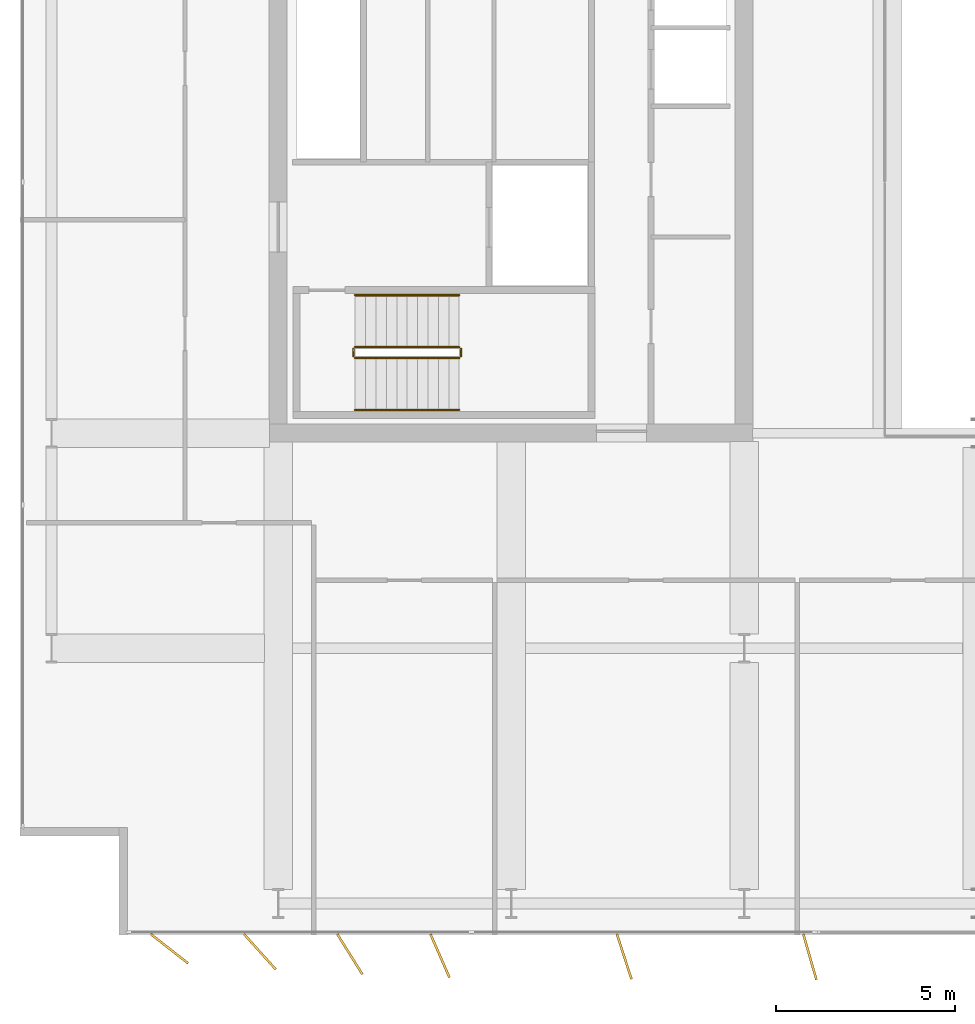
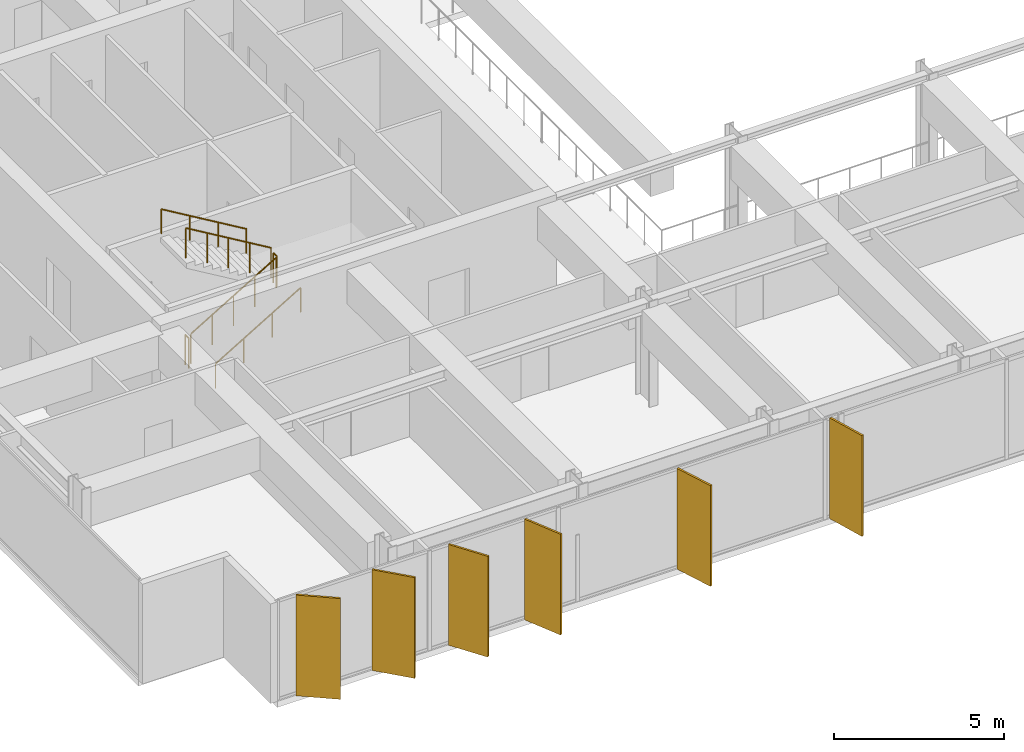
# One storey, part 21 of 24: 6 railings, 6 shading devices.
"""IFC4 building model written with IfcOpenShell, lengths in metres."""

from ifc_helpers import new_model, si_unit, direction, frame, origin, origin_2d, place, context, subcontext, project, spatial, rectangle, circle, extrude, material, layer, layer_set, type_object, element, save


model = new_model("IFC4")

# Units and contexts
model_context = context("Model", 3, precision=1e-05, world=origin(), true_north=direction((0.0, 1.0)))
body_context = subcontext(model_context, "Body", "Model", "MODEL_VIEW")
ifc_project = project(units=[si_unit("LENGTHUNIT", "METRE"), si_unit("AREAUNIT", "SQUARE_METRE"), si_unit("VOLUMEUNIT", "CUBIC_METRE"), si_unit("PLANEANGLEUNIT", "RADIAN"), si_unit("MASSUNIT", "GRAM", prefix="KILO")], contexts=[model_context])

# Site, building, storey
site_placement = place(None, origin())
site = spatial("IfcSite", under=ifc_project, at=site_placement, CompositionType="ELEMENT")
building_placement = place(site_placement, origin())
building = spatial("IfcBuilding", under=site, at=building_placement, Name="Putna Gate Headquarters", CompositionType="ELEMENT")
storey_placement = place(building_placement, frame((0.0, 0.0, 251.800048828125)))
storey = spatial("IfcBuildingStorey", under=building, at=storey_placement, Name="L63", CompositionType="ELEMENT", Elevation=251.800048828125)

# Railings
ifc_material_1 = material(Name="Powder-coated steel stair guardrail", Category="steel")
railing_type_1 = type_object("IfcRailingType", Name="RAIL-STAIR-GUARD-1100", PredefinedType="GUARDRAIL", material=ifc_material_1)
railing_1_placement = place(storey_placement, frame((15.14990234375, 21.10009765625, 0.172607421875)))
element("IfcRailing", 1, at=railing_1_placement, inside=storey, type_object=railing_type_1, Name="L63 ST1 stair guard 1", PredefinedType="GUARDRAIL", context=body_context, shape_type="SweptSolid", body=[
    extrude(circle(Radius=0.02392578125, at=origin_2d()), frame((0.0, 0.0, 1.076171875), z_axis=(0.859160404282, 0.0, 0.51170636083), x_axis=(0.0, 1.0, 0.0)), (0.0, 0.0, 1.0), 3.37548828125),
    extrude(circle(Radius=0.02099609375, at=origin_2d()), origin(), (0.0, 0.0, 1.0), 1.052001953125),
    extrude(circle(Radius=0.02099609375, at=origin_2d()), frame((0.72509765625, 0.0, 0.431884765625)), (0.0, 0.0, 1.0), 1.052001953125),
    extrude(circle(Radius=0.02099609375, at=origin_2d()), frame((1.4501953125, 0.0, 0.86376953125)), (0.0, 0.0, 1.0), 1.052001953125),
    extrude(circle(Radius=0.02099609375, at=origin_2d()), frame((2.175048828125, 0.0, 1.29541015625)), (0.0, 0.0, 1.0), 1.052001953125),
    extrude(circle(Radius=0.02099609375, at=origin_2d()), frame((2.900146484375, 0.0, 1.727294921875)), (0.0, 0.0, 1.0), 1.052001953125),
])
railing_2_placement = place(storey_placement, frame((18.10009765625, 21.14990234375, 1.89990234375)))
element("IfcRailing", 2, at=railing_2_placement, inside=storey, type_object=railing_type_1, Name="L63 ST1 stair guard 2", PredefinedType="GUARDRAIL", context=body_context, shape_type="SweptSolid", body=[
    extrude(circle(Radius=0.02392578125, at=origin_2d()), frame((0.0, 0.0, 1.076171875), z_axis=(0.0, 1.0, 0.0), x_axis=(-1.0, 0.0, 0.0)), (0.0, 0.0, 1.0), 0.2001953125),
    extrude(circle(Radius=0.02099609375, at=origin_2d()), origin(), (0.0, 0.0, 1.0), 1.052001953125),
    extrude(circle(Radius=0.02099609375, at=origin_2d()), frame((0.0, 0.2001953125, 0.0)), (0.0, 0.0, 1.0), 1.052001953125),
])
railing_3_placement = place(storey_placement, frame((18.050048828125, 21.39990234375, 2.07275390625)))
element("IfcRailing", 3, at=railing_3_placement, inside=storey, type_object=railing_type_1, Name="L63 ST1 stair guard 3", PredefinedType="GUARDRAIL", context=body_context, shape_type="SweptSolid", body=[
    extrude(circle(Radius=0.02392578125, at=origin_2d()), frame((0.0, 0.0, 1.076171875), z_axis=(-0.859160404282, 0.0, 0.51170636083), x_axis=(0.0, -1.0, 0.0)), (0.0, 0.0, 1.0), 3.37548828125),
    extrude(circle(Radius=0.02099609375, at=origin_2d()), origin(), (0.0, 0.0, 1.0), 1.052001953125),
    extrude(circle(Radius=0.02099609375, at=origin_2d()), frame((-0.72509765625, 0.0, 0.431884765625)), (0.0, 0.0, 1.0), 1.052001953125),
    extrude(circle(Radius=0.02099609375, at=origin_2d()), frame((-1.4501953125, 0.0, 0.86376953125)), (0.0, 0.0, 1.0), 1.052001953125),
    extrude(circle(Radius=0.02099609375, at=origin_2d()), frame((-2.175048828125, 0.0, 1.29541015625)), (0.0, 0.0, 1.0), 1.052001953125),
    extrude(circle(Radius=0.02099609375, at=origin_2d()), frame((-2.900146484375, 0.0, 1.727294921875)), (0.0, 0.0, 1.0), 1.052001953125),
])
railing_4_placement = place(storey_placement, frame((15.10009765625, 21.14990234375, 0.0)))
element("IfcRailing", 4, at=railing_4_placement, inside=storey, type_object=railing_type_1, Name="L63 ST1 stair guard 4", PredefinedType="GUARDRAIL", context=body_context, shape_type="SweptSolid", body=[
    extrude(circle(Radius=0.02392578125, at=origin_2d()), frame((0.0, 0.0, 1.076171875), z_axis=(0.0, 1.0, 0.0), x_axis=(-1.0, 0.0, 0.0)), (0.0, 0.0, 1.0), 0.2001953125),
    extrude(circle(Radius=0.02099609375, at=origin_2d()), origin(), (0.0, 0.0, 1.0), 1.052001953125),
    extrude(circle(Radius=0.02099609375, at=origin_2d()), frame((0.0, 0.2001953125, 0.0)), (0.0, 0.0, 1.0), 1.052001953125),
])
ifc_material_2 = material(Name="Brushed stainless steel handrail", Category="steel")
railing_type_2 = type_object("IfcRailingType", Name="RAIL-STAIR-HAND-900", PredefinedType="HANDRAIL", material=ifc_material_2)
railing_5_placement = place(storey_placement, frame((15.14990234375, 19.64990234375, 0.172607421875)))
element("IfcRailing", 5, at=railing_5_placement, inside=storey, type_object=railing_type_2, Name="L63 ST1 stair handrail 1", PredefinedType="HANDRAIL", context=body_context, shape_type="SweptSolid", body=[
    extrude(circle(Radius=0.02392578125, at=origin_2d()), frame((0.0, 0.0, 0.8759765625), z_axis=(0.859160404282, 0.0, 0.51170636083), x_axis=(0.0, 1.0, 0.0)), (0.0, 0.0, 1.0), 3.37548828125),
    extrude(circle(Radius=0.02099609375, at=origin_2d()), origin(), (0.0, 0.0, 1.0), 0.851806640625),
    extrude(circle(Radius=0.02099609375, at=origin_2d()), frame((0.966796875, 0.0, 0.57568359375)), (0.0, 0.0, 1.0), 0.851806640625),
    extrude(circle(Radius=0.02099609375, at=origin_2d()), frame((1.933349609375, 0.0, 1.151611328125)), (0.0, 0.0, 1.0), 0.851806640625),
    extrude(circle(Radius=0.02099609375, at=origin_2d()), frame((2.900146484375, 0.0, 1.727294921875)), (0.0, 0.0, 1.0), 0.851806640625),
])
railing_6_placement = place(storey_placement, frame((18.050048828125, 22.85009765625, 2.07275390625)))
element("IfcRailing", 6, at=railing_6_placement, inside=storey, type_object=railing_type_2, Name="L63 ST1 stair handrail 2", PredefinedType="HANDRAIL", context=body_context, shape_type="SweptSolid", body=[
    extrude(circle(Radius=0.02392578125, at=origin_2d()), frame((0.0, 0.0, 0.8759765625), z_axis=(-0.859160404282, 0.0, 0.51170636083), x_axis=(0.0, -1.0, 0.0)), (0.0, 0.0, 1.0), 3.37548828125),
    extrude(circle(Radius=0.02099609375, at=origin_2d()), origin(), (0.0, 0.0, 1.0), 0.851806640625),
    extrude(circle(Radius=0.02099609375, at=origin_2d()), frame((-0.966796875, 0.0, 0.57568359375)), (0.0, 0.0, 1.0), 0.851806640625),
    extrude(circle(Radius=0.02099609375, at=origin_2d()), frame((-1.933349609375, 0.0, 1.151611328125)), (0.0, 0.0, 1.0), 0.851806640625),
    extrude(circle(Radius=0.02099609375, at=origin_2d()), frame((-2.900146484375, 0.0, 1.727294921875)), (0.0, 0.0, 1.0), 0.851806640625),
])

# Shading devices
ifc_material_3 = material(Name="Anodised architectural bronze aluminium fin", Category="aluminium")
ifc_layer = layer(ifc_material_3, 0.06494140625)
ifc_layer_set = layer_set([ifc_layer], Name="Anodised architectural bronze aluminium fin")
shading_device_type = type_object("IfcShadingDeviceType", Name="SHADE-BRONZE-FIN-1320", PredefinedType="USERDEFINED", material=ifc_layer_set)
for number, where, z_axis, x_axis, name in (
    (7, (9.9697265625, 4.6181640625, -0.02001953125), (0.0, 0.0, 1.0), (0.787473187632, -0.616348909921, 0.0), "L63 Bronze Vertical Shading Fin S1"),
    (8, (12.49169921875, 4.534423828125, -0.02001953125), (0.0, 0.0, 1.0), (0.669130606359, -0.743144825477, 0.0), "L63 Bronze Vertical Shading Fin S2"),
    (9, (15.000244140625, 4.465576171875, -0.02001953125), (0.0, 0.0, 1.0), (0.530659123936, -0.847585331506, 0.0), "L63 Bronze Vertical Shading Fin S3"),
    (10, (17.514404296875, 4.42041015625, -0.02001953125), (0.0, 0.0, 1.0), (0.400668879095, -0.916222925562, 0.0), "L63 Bronze Vertical Shading Fin S4"),
    (11, (22.65380859375, 4.397216796875, -0.02001953125), (0.0, 0.0, 1.0), (0.308684994204, -0.951164325631, 0.0), "L63 Bronze Vertical Shading Fin S5"),
    (12, (27.831787109375, 4.390625, -0.02001953125), (0.0, 0.0, 1.0), (0.275637355817, -0.961261695938, 0.0), "L63 Bronze Vertical Shading Fin S6"),
):
    element("IfcShadingDevice", number, at=place(storey_placement, frame(where, z_axis=z_axis, x_axis=x_axis)), inside=storey, type_object=shading_device_type, Name=name, ObjectType="FIN", PredefinedType="USERDEFINED", context=body_context, shape_type="SweptSolid", body=[
        extrude(rectangle(XDim=1.320068359375, YDim=0.06494140625, at=origin_2d()), origin(), (0.0, 0.0, 1.0), 3.6279296875),
    ])

save(model, "model.ifc")
